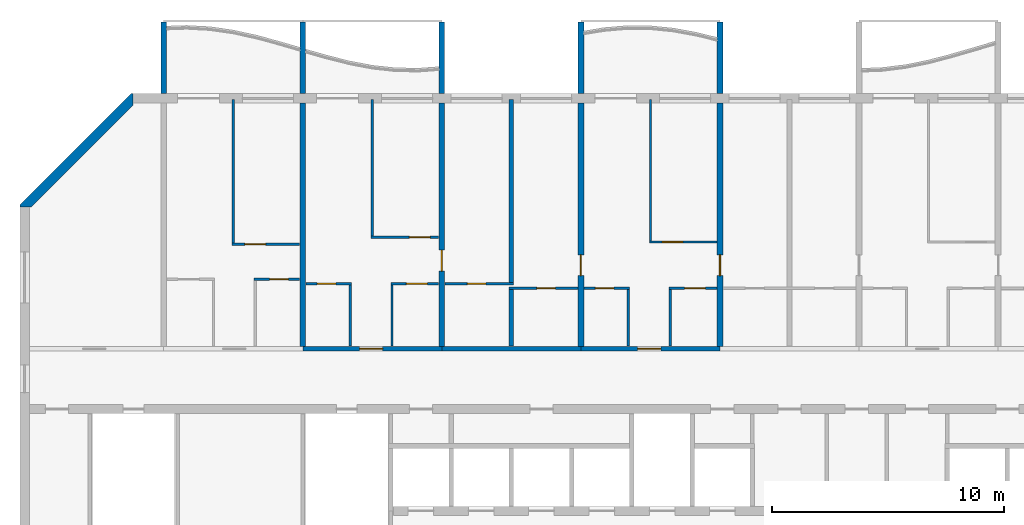
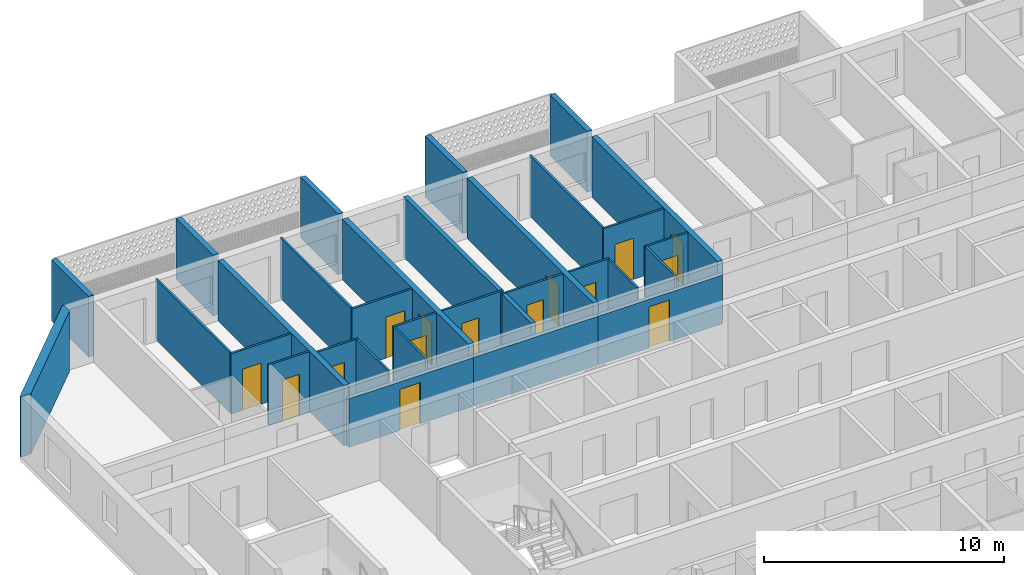
# One storey, part 8 of 27: 32 walls, 15 doors, 15 openings.
"""IFC4 building model written with IfcOpenShell, lengths in metres."""

from ifc_helpers import new_model, si_unit, direction, frame, frame_2d, origin, place, context, subcontext, project, spatial, polyline, rectangle, outline, extrude, source, transform, mapped, material, layer, layer_set, type_object, element, fill, save


model = new_model("IFC4")

# Units and contexts
model_context = context("Model", 3, precision=1e-05, world=origin(), true_north=direction((0.0, 1.0)))
body_context = subcontext(model_context, "Body", "Model", "MODEL_VIEW")
ifc_project = project(units=[si_unit("LENGTHUNIT", "METRE"), si_unit("AREAUNIT", "SQUARE_METRE"), si_unit("VOLUMEUNIT", "CUBIC_METRE"), si_unit("PLANEANGLEUNIT", "RADIAN"), si_unit("MASSUNIT", "GRAM", prefix="KILO")], contexts=[model_context])

# Site, building, storey
site_placement = place(None, origin())
site = spatial("IfcSite", under=ifc_project, at=site_placement, CompositionType="ELEMENT")
building_placement = place(site_placement, origin())
building = spatial("IfcBuilding", under=site, at=building_placement, Name="Poui Terraces", CompositionType="ELEMENT")
storey_placement = place(building_placement, frame((0.0, 0.0, 195.0)))
storey = spatial("IfcBuildingStorey", under=building, at=storey_placement, Name="L54", CompositionType="ELEMENT", Elevation=195.0)

# Wall, opening, door
ifc_material_1 = material(Name="Concrete 50 MPa", Category="concrete")
ifc_layer_1 = layer(ifc_material_1, 0.199951171875)
ifc_layer_set_1 = layer_set([ifc_layer_1], Name="Concrete 50 MPa")
wall_type_1 = type_object("IfcWallType", Name="CORRIDOR WALL 200 50MPa", PredefinedType="SHEAR", material=ifc_layer_set_1)
wall_1_placement = place(storey_placement, frame((30.0, 30.39990234375, 0.0), z_axis=(0.0, 0.0, 1.0), x_axis=(1.0, 0.0, 0.0)))
wall_1 = element("IfcWall", 1, at=wall_1_placement, inside=storey, type_object=wall_type_1, Name="CORRIDOR WALL LINE E BAY 3", PredefinedType="SHEAR", context=body_context, shape_type="SweptSolid", body=[
    extrude(rectangle(XDim=6.0, YDim=0.199951171875, at=frame_2d((3.0, 0.0))), origin(), (0.0, 0.0, 1.0), 2.47998046875),
])
opening_1_placement = place(wall_1_placement, frame((2.449951171875, 0.0, 0.0)))
opening_1 = element("IfcOpeningElement", 2, at=opening_1_placement, cuts=wall_1, Name="Opening FD30S", PredefinedType="OPENING", context=body_context, shape_type="SweptSolid", body=[
    extrude(rectangle(XDim=1.0, YDim=2.10009765625, at=frame_2d((0.5, 1.050048828125))), frame((0.0, 0.10986328125, 0.0), z_axis=(0.0, -1.0, 0.0), x_axis=(1.0, 0.0, 0.0)), (0.0, 0.0, 1.0), 0.219970703125),
])
ifc_material_2 = material(Name="Steel fire door", Category="steel")
door_type_1 = type_object("IfcDoorType", Name="FLAT ENTRANCE DOOR 1000 X 2100", OperationType="NOTDEFINED", PredefinedType="DOOR", material=ifc_material_2)
door_1_placement = place(opening_1_placement, origin())
door_1 = element("IfcDoor", 3, at=door_1_placement, inside=storey, type_object=door_type_1, Name="FLAT ENTRANCE DOOR 034", OperationType="SINGLE_SWING_LEFT", OverallHeight=2.10009765625, OverallWidth=1.0, PredefinedType="DOOR", context=body_context, shape_type="SweptSolid", body=[
    extrude(rectangle(XDim=1.0, YDim=2.10009765625, at=frame_2d((0.5, 1.050048828125))), frame((0.0, 0.02490234375, 0.0), z_axis=(0.0, -1.0, 0.0), x_axis=(1.0, 0.0, 0.0)), (0.0, 0.0, 1.0), 0.050048828125),
])
fill(opening_1, door_1)

# Wall
wall_2_placement = place(storey_placement, frame((36.0, 30.39990234375, 0.0), z_axis=(0.0, 0.0, 1.0), x_axis=(1.0, 0.0, 0.0)))
element("IfcWall", 4, at=wall_2_placement, inside=storey, type_object=wall_type_1, Name="CORRIDOR WALL LINE E BAY 4", PredefinedType="SHEAR", context=body_context, shape_type="SweptSolid", body=[
    extrude(rectangle(XDim=6.0, YDim=0.199951171875, at=frame_2d((3.0, 0.0))), origin(), (0.0, 0.0, 1.0), 2.47998046875),
])

# Wall, opening, door
wall_3_placement = place(storey_placement, frame((42.0, 30.39990234375, 0.0), z_axis=(0.0, 0.0, 1.0), x_axis=(1.0, 0.0, 0.0)))
wall_3 = element("IfcWall", 5, at=wall_3_placement, inside=storey, type_object=wall_type_1, Name="CORRIDOR WALL LINE E BAY 5", PredefinedType="SHEAR", context=body_context, shape_type="SweptSolid", body=[
    extrude(rectangle(XDim=6.0, YDim=0.199951171875, at=frame_2d((3.0, 0.0))), origin(), (0.0, 0.0, 1.0), 2.47998046875),
])
opening_2_placement = place(wall_3_placement, frame((2.449951171875, 0.0, 0.0)))
opening_2 = element("IfcOpeningElement", 6, at=opening_2_placement, cuts=wall_3, Name="Opening FD30S", PredefinedType="OPENING", context=body_context, shape_type="SweptSolid", body=[
    extrude(rectangle(XDim=1.0, YDim=2.10009765625, at=frame_2d((0.5, 1.050048828125))), frame((0.0, 0.10986328125, 0.0), z_axis=(0.0, -1.0, 0.0), x_axis=(1.0, 0.0, 0.0)), (0.0, 0.0, 1.0), 0.219970703125),
])
door_2_placement = place(opening_2_placement, origin())
door_2 = element("IfcDoor", 7, at=door_2_placement, inside=storey, type_object=door_type_1, Name="FLAT ENTRANCE DOOR 042", OperationType="SINGLE_SWING_LEFT", OverallHeight=2.10009765625, OverallWidth=1.0, PredefinedType="DOOR", context=body_context, shape_type="SweptSolid", body=[
    extrude(rectangle(XDim=1.0, YDim=2.10009765625, at=frame_2d((0.5, 1.050048828125))), frame((0.0, 0.02490234375, 0.0), z_axis=(0.0, -1.0, 0.0), x_axis=(1.0, 0.0, 0.0)), (0.0, 0.0, 1.0), 0.050048828125),
])
fill(opening_2, door_2)

# Wall
ifc_layer_2 = layer(ifc_material_1, 0.25)
ifc_layer_set_2 = layer_set([ifc_layer_2], Name="Concrete 50 MPa")
wall_type_2 = type_object("IfcWallType", Name="CROSS WALL 250 50MPa", PredefinedType="SHEAR", material=ifc_layer_set_2)
wall_4_placement = place(storey_placement, frame((30.0, 30.5, 0.0), z_axis=(0.0, 0.0, 1.0), x_axis=(0.0, 1.0, 0.0)))
element("IfcWall", 8, at=wall_4_placement, inside=storey, type_object=wall_type_2, Name="CROSS WALL LINE 6 NORTH", PredefinedType="SHEAR", context=body_context, shape_type="SweptSolid", body=[
    extrude(rectangle(XDim=10.5, YDim=0.25, at=frame_2d((5.25, 0.0))), origin(), (0.0, 0.0, 1.0), 3.080078125),
])

# Wall, opening, door
wall_5_placement = place(storey_placement, frame((36.0, 30.5, 0.0), z_axis=(0.0, 0.0, 1.0), x_axis=(0.0, 1.0, 0.0)))
wall_5 = element("IfcWall", 9, at=wall_5_placement, inside=storey, type_object=wall_type_2, Name="CROSS WALL LINE 7 NORTH", PredefinedType="SHEAR", context=body_context, shape_type="SweptSolid", body=[
    extrude(rectangle(XDim=10.5, YDim=0.25, at=frame_2d((5.25, 0.0))), origin(), (0.0, 0.0, 1.0), 3.080078125),
])
opening_3_placement = place(wall_5_placement, frame((3.25, 0.0, 0.0)))
opening_3 = element("IfcOpeningElement", 10, at=opening_3_placement, cuts=wall_5, Name="Opening D90", PredefinedType="OPENING", context=body_context, shape_type="SweptSolid", body=[
    extrude(rectangle(XDim=0.89990234375, YDim=2.10009765625, at=frame_2d((0.449951171875, 1.050048828125))), frame((0.0, 0.135009765625, 0.0), z_axis=(0.0, -1.0, 0.0), x_axis=(1.0, 0.0, 0.0)), (0.0, 0.0, 1.0), 0.27001953125),
])
ifc_material_3 = material(Name="Solid core timber door", Category="wood")
door_type_2 = type_object("IfcDoorType", Name="INTERNAL DOOR 900 X 2100", OperationType="NOTDEFINED", PredefinedType="DOOR", material=ifc_material_3)
door_3_placement = place(opening_3_placement, frame((0.89990234375, 0.0, 0.0), z_axis=(0.0, 0.0, 1.0), x_axis=(-1.0, 0.0, 0.0)))
door_3 = element("IfcDoor", 11, at=door_3_placement, inside=storey, type_object=door_type_2, Name="INTERNAL DOOR 037", OperationType="SINGLE_SWING_RIGHT", OverallHeight=2.10009765625, OverallWidth=0.89990234375, PredefinedType="DOOR", context=body_context, shape_type="SweptSolid", body=[
    extrude(rectangle(XDim=0.89990234375, YDim=2.10009765625, at=frame_2d((0.449951171875, 1.050048828125))), frame((0.0, 0.02490234375, 0.0), z_axis=(0.0, -1.0, 0.0), x_axis=(1.0, 0.0, 0.0)), (0.0, 0.0, 1.0), 0.050048828125),
])
fill(opening_3, door_3)

wall_6_placement = place(storey_placement, frame((42.0, 30.5, 0.0), z_axis=(0.0, 0.0, 1.0), x_axis=(0.0, 1.0, 0.0)))
wall_6 = element("IfcWall", 12, at=wall_6_placement, inside=storey, type_object=wall_type_2, Name="CROSS WALL LINE 8 NORTH", PredefinedType="SHEAR", context=body_context, shape_type="SweptSolid", body=[
    extrude(rectangle(XDim=10.5, YDim=0.25, at=frame_2d((5.25, 0.0))), origin(), (0.0, 0.0, 1.0), 3.080078125),
])
opening_4_placement = place(wall_6_placement, frame((3.050048828125, 0.0, 0.0)))
opening_4 = element("IfcOpeningElement", 13, at=opening_4_placement, cuts=wall_6, Name="Opening D90", PredefinedType="OPENING", context=body_context, shape_type="SweptSolid", body=[
    extrude(rectangle(XDim=0.89990234375, YDim=2.10009765625, at=frame_2d((0.449951171875, 1.050048828125))), frame((0.0, 0.135009765625, 0.0), z_axis=(0.0, -1.0, 0.0), x_axis=(1.0, 0.0, 0.0)), (0.0, 0.0, 1.0), 0.27001953125),
])
door_4_placement = place(opening_4_placement, origin())
door_4 = element("IfcDoor", 14, at=door_4_placement, inside=storey, type_object=door_type_2, Name="INTERNAL DOOR 040", OperationType="SINGLE_SWING_LEFT", OverallHeight=2.10009765625, OverallWidth=0.89990234375, PredefinedType="DOOR", context=body_context, shape_type="SweptSolid", body=[
    extrude(rectangle(XDim=0.89990234375, YDim=2.10009765625, at=frame_2d((0.449951171875, 1.050048828125))), frame((0.0, 0.02490234375, 0.0), z_axis=(0.0, -1.0, 0.0), x_axis=(1.0, 0.0, 0.0)), (0.0, 0.0, 1.0), 0.050048828125),
])
fill(opening_4, door_4)

wall_7_placement = place(storey_placement, frame((48.0, 30.5, 0.0), z_axis=(0.0, 0.0, 1.0), x_axis=(0.0, 1.0, 0.0)))
wall_7 = element("IfcWall", 15, at=wall_7_placement, inside=storey, type_object=wall_type_2, Name="CROSS WALL LINE 9 NORTH", PredefinedType="SHEAR", context=body_context, shape_type="SweptSolid", body=[
    extrude(rectangle(XDim=10.5, YDim=0.25, at=frame_2d((5.25, 0.0))), origin(), (0.0, 0.0, 1.0), 3.080078125),
])
opening_5_placement = place(wall_7_placement, frame((3.050048828125, 0.0, 0.0)))
opening_5 = element("IfcOpeningElement", 16, at=opening_5_placement, cuts=wall_7, Name="Opening D90", PredefinedType="OPENING", context=body_context, shape_type="SweptSolid", body=[
    extrude(rectangle(XDim=0.89990234375, YDim=2.10009765625, at=frame_2d((0.449951171875, 1.050048828125))), frame((0.0, 0.135009765625, 0.0), z_axis=(0.0, -1.0, 0.0), x_axis=(1.0, 0.0, 0.0)), (0.0, 0.0, 1.0), 0.27001953125),
])
door_5_placement = place(opening_5_placement, frame((0.89990234375, 0.0, 0.0), z_axis=(0.0, 0.0, 1.0), x_axis=(-1.0, 0.0, 0.0)))
door_5 = element("IfcDoor", 17, at=door_5_placement, inside=storey, type_object=door_type_2, Name="INTERNAL DOOR 045", OperationType="SINGLE_SWING_RIGHT", OverallHeight=2.10009765625, OverallWidth=0.89990234375, PredefinedType="DOOR", context=body_context, shape_type="SweptSolid", body=[
    extrude(rectangle(XDim=0.89990234375, YDim=2.10009765625, at=frame_2d((0.449951171875, 1.050048828125))), frame((0.0, 0.02490234375, 0.0), z_axis=(0.0, -1.0, 0.0), x_axis=(1.0, 0.0, 0.0)), (0.0, 0.0, 1.0), 0.050048828125),
])
fill(opening_5, door_5)

ifc_material_4 = material(Name="Plasterboard partition")
ifc_layer_3 = layer(ifc_material_4, 0.10009765625)
ifc_layer_set_3 = layer_set([ifc_layer_3], Name="Plasterboard partition")
wall_type_3 = type_object("IfcWallType", Name="FLAT PARTITION 100", PredefinedType="PARTITIONING", material=ifc_layer_set_3)
wall_8_placement = place(storey_placement, frame((38.89990234375, 33.0, 0.0), z_axis=(0.0, 0.0, 1.0), x_axis=(1.0, 0.0, 0.0)))
wall_8 = element("IfcWall", 18, at=wall_8_placement, inside=storey, type_object=wall_type_3, Name="FLAT PARTITION 100", PredefinedType="PARTITIONING", context=body_context, shape_type="SweptSolid", body=[
    extrude(rectangle(XDim=2.965087890625, YDim=0.10009765625, at=frame_2d((1.482421875, 0.0))), origin(), (0.0, 0.0, 1.0), 3.080078125),
])
opening_6_placement = place(wall_8_placement, frame((1.199951171875, 0.0, 0.0)))
opening_6 = element("IfcOpeningElement", 19, at=opening_6_placement, cuts=wall_8, Name="Opening D80", PredefinedType="OPENING", context=body_context, shape_type="SweptSolid", body=[
    extrude(rectangle(XDim=0.800048828125, YDim=2.10009765625, at=frame_2d((0.39990234375, 1.050048828125))), frame((0.0, 0.06005859375, 0.0), z_axis=(0.0, -1.0, 0.0), x_axis=(1.0, 0.0, 0.0)), (0.0, 0.0, 1.0), 0.1201171875),
])
door_type_3 = type_object("IfcDoorType", Name="BATHROOM, LAUNDRY AND STORE DOOR 800 X 2100", OperationType="NOTDEFINED", PredefinedType="DOOR", material=ifc_material_3)
door_6_placement = place(opening_6_placement, frame((0.800048828125, 0.0, 0.0), z_axis=(0.0, 0.0, 1.0), x_axis=(-1.0, 0.0, 0.0)))
door_6 = element("IfcDoor", 20, at=door_6_placement, inside=storey, type_object=door_type_3, Name="BATHROOM, LAUNDRY AND STORE DOOR 038", OperationType="SINGLE_SWING_LEFT", OverallHeight=2.10009765625, OverallWidth=0.800048828125, PredefinedType="DOOR", context=body_context, shape_type="SweptSolid", body=[
    extrude(rectangle(XDim=0.800048828125, YDim=2.10009765625, at=frame_2d((0.39990234375, 1.050048828125))), frame((0.0, 0.02490234375, 0.0), z_axis=(0.0, -1.0, 0.0), x_axis=(1.0, 0.0, 0.0)), (0.0, 0.0, 1.0), 0.050048828125),
])
fill(opening_6, door_6)

wall_9_placement = place(storey_placement, frame((42.135009765625, 33.0, 0.0), z_axis=(0.0, 0.0, 1.0), x_axis=(1.0, 0.0, 0.0)))
wall_9 = element("IfcWall", 21, at=wall_9_placement, inside=storey, type_object=wall_type_3, Name="FLAT PARTITION 100", PredefinedType="PARTITIONING", context=body_context, shape_type="SweptSolid", body=[
    extrude(rectangle(XDim=1.965087890625, YDim=0.10009765625, at=frame_2d((0.982421875, 0.0))), origin(), (0.0, 0.0, 1.0), 3.080078125),
])
opening_7_placement = place(wall_9_placement, frame((0.489990234375, 0.0, 0.0)))
opening_7 = element("IfcOpeningElement", 22, at=opening_7_placement, cuts=wall_9, Name="Opening D80", PredefinedType="OPENING", context=body_context, shape_type="SweptSolid", body=[
    extrude(rectangle(XDim=0.800048828125, YDim=2.10009765625, at=frame_2d((0.39990234375, 1.050048828125))), frame((0.0, 0.06005859375, 0.0), z_axis=(0.0, -1.0, 0.0), x_axis=(1.0, 0.0, 0.0)), (0.0, 0.0, 1.0), 0.1201171875),
])
door_7_placement = place(opening_7_placement, frame((0.800048828125, 0.0, 0.0), z_axis=(0.0, 0.0, 1.0), x_axis=(-1.0, 0.0, 0.0)))
door_7 = element("IfcDoor", 23, at=door_7_placement, inside=storey, type_object=door_type_3, Name="BATHROOM, LAUNDRY AND STORE DOOR 041", OperationType="SINGLE_SWING_LEFT", OverallHeight=2.10009765625, OverallWidth=0.800048828125, PredefinedType="DOOR", context=body_context, shape_type="SweptSolid", body=[
    extrude(rectangle(XDim=0.800048828125, YDim=2.10009765625, at=frame_2d((0.39990234375, 1.050048828125))), frame((0.0, 0.02490234375, 0.0), z_axis=(0.0, -1.0, 0.0), x_axis=(1.0, 0.0, 0.0)), (0.0, 0.0, 1.0), 0.050048828125),
])
fill(opening_7, door_7)

wall_10_placement = place(storey_placement, frame((45.800048828125, 33.0, 0.0), z_axis=(0.0, 0.0, 1.0), x_axis=(1.0, 0.0, 0.0)))
wall_10 = element("IfcWall", 24, at=wall_10_placement, inside=storey, type_object=wall_type_3, Name="FLAT PARTITION 100", PredefinedType="PARTITIONING", context=body_context, shape_type="SweptSolid", body=[
    extrude(rectangle(XDim=2.06494140625, YDim=0.10009765625, at=frame_2d((1.032470703125, 0.0))), origin(), (0.0, 0.0, 1.0), 3.080078125),
])
opening_8_placement = place(wall_10_placement, frame((0.675048828125, 0.0, 0.0)))
opening_8 = element("IfcOpeningElement", 25, at=opening_8_placement, cuts=wall_10, Name="Opening D90", PredefinedType="OPENING", context=body_context, shape_type="SweptSolid", body=[
    extrude(rectangle(XDim=0.89990234375, YDim=2.10009765625, at=frame_2d((0.449951171875, 1.050048828125))), frame((0.0, 0.06005859375, 0.0), z_axis=(0.0, -1.0, 0.0), x_axis=(1.0, 0.0, 0.0)), (0.0, 0.0, 1.0), 0.1201171875),
])
door_8_placement = place(opening_8_placement, frame((0.89990234375, 0.0, 0.0), z_axis=(0.0, 0.0, 1.0), x_axis=(-1.0, 0.0, 0.0)))
door_8 = element("IfcDoor", 26, at=door_8_placement, inside=storey, type_object=door_type_2, Name="INTERNAL DOOR 044", OperationType="SINGLE_SWING_RIGHT", OverallHeight=2.10009765625, OverallWidth=0.89990234375, PredefinedType="DOOR", context=body_context, shape_type="SweptSolid", body=[
    extrude(rectangle(XDim=0.89990234375, YDim=2.10009765625, at=frame_2d((0.449951171875, 1.050048828125))), frame((0.0, 0.02490234375, 0.0), z_axis=(0.0, -1.0, 0.0), x_axis=(1.0, 0.0, 0.0)), (0.0, 0.0, 1.0), 0.050048828125),
])
fill(opening_8, door_8)

wall_11_placement = place(storey_placement, frame((30.135009765625, 33.199951171875, 0.0), z_axis=(0.0, 0.0, 1.0), x_axis=(1.0, 0.0, 0.0)))
wall_11 = element("IfcWall", 27, at=wall_11_placement, inside=storey, type_object=wall_type_3, Name="FLAT PARTITION 100", PredefinedType="PARTITIONING", context=body_context, shape_type="SweptSolid", body=[
    extrude(rectangle(XDim=1.965087890625, YDim=0.10009765625, at=frame_2d((0.982421875, 0.0))), origin(), (0.0, 0.0, 1.0), 3.080078125),
])
opening_9_placement = place(wall_11_placement, frame((0.489990234375, 0.0, 0.0)))
opening_9 = element("IfcOpeningElement", 28, at=opening_9_placement, cuts=wall_11, Name="Opening D80", PredefinedType="OPENING", context=body_context, shape_type="SweptSolid", body=[
    extrude(rectangle(XDim=0.800048828125, YDim=2.10009765625, at=frame_2d((0.39990234375, 1.050048828125))), frame((0.0, 0.06005859375, 0.0), z_axis=(0.0, -1.0, 0.0), x_axis=(1.0, 0.0, 0.0)), (0.0, 0.0, 1.0), 0.1201171875),
])
door_9_placement = place(opening_9_placement, frame((0.800048828125, 0.0, 0.0), z_axis=(0.0, 0.0, 1.0), x_axis=(-1.0, 0.0, 0.0)))
door_9 = element("IfcDoor", 29, at=door_9_placement, inside=storey, type_object=door_type_3, Name="BATHROOM, LAUNDRY AND STORE DOOR 033", OperationType="SINGLE_SWING_RIGHT", OverallHeight=2.10009765625, OverallWidth=0.800048828125, PredefinedType="DOOR", context=body_context, shape_type="SweptSolid", body=[
    extrude(rectangle(XDim=0.800048828125, YDim=2.10009765625, at=frame_2d((0.39990234375, 1.050048828125))), frame((0.0, 0.02490234375, 0.0), z_axis=(0.0, -1.0, 0.0), x_axis=(1.0, 0.0, 0.0)), (0.0, 0.0, 1.0), 0.050048828125),
])
fill(opening_9, door_9)

wall_12_placement = place(storey_placement, frame((33.800048828125, 33.199951171875, 0.0), z_axis=(0.0, 0.0, 1.0), x_axis=(1.0, 0.0, 0.0)))
wall_12 = element("IfcWall", 30, at=wall_12_placement, inside=storey, type_object=wall_type_3, Name="FLAT PARTITION 100", PredefinedType="PARTITIONING", context=body_context, shape_type="SweptSolid", body=[
    extrude(rectangle(XDim=2.06494140625, YDim=0.10009765625, at=frame_2d((1.032470703125, 0.0))), origin(), (0.0, 0.0, 1.0), 3.080078125),
])
opening_10_placement = place(wall_12_placement, frame((0.675048828125, 0.0, 0.0)))
opening_10 = element("IfcOpeningElement", 31, at=opening_10_placement, cuts=wall_12, Name="Opening D90", PredefinedType="OPENING", context=body_context, shape_type="SweptSolid", body=[
    extrude(rectangle(XDim=0.89990234375, YDim=2.10009765625, at=frame_2d((0.449951171875, 1.050048828125))), frame((0.0, 0.06005859375, 0.0), z_axis=(0.0, -1.0, 0.0), x_axis=(1.0, 0.0, 0.0)), (0.0, 0.0, 1.0), 0.1201171875),
])
door_10_placement = place(opening_10_placement, frame((0.89990234375, 0.0, 0.0), z_axis=(0.0, 0.0, 1.0), x_axis=(-1.0, 0.0, 0.0)))
door_10 = element("IfcDoor", 32, at=door_10_placement, inside=storey, type_object=door_type_2, Name="INTERNAL DOOR 035", OperationType="SINGLE_SWING_LEFT", OverallHeight=2.10009765625, OverallWidth=0.89990234375, PredefinedType="DOOR", context=body_context, shape_type="SweptSolid", body=[
    extrude(rectangle(XDim=0.89990234375, YDim=2.10009765625, at=frame_2d((0.449951171875, 1.050048828125))), frame((0.0, 0.02490234375, 0.0), z_axis=(0.0, -1.0, 0.0), x_axis=(1.0, 0.0, 0.0)), (0.0, 0.0, 1.0), 0.050048828125),
])
fill(opening_10, door_10)

wall_13_placement = place(storey_placement, frame((36.135009765625, 33.199951171875, 0.0), z_axis=(0.0, 0.0, 1.0), x_axis=(1.0, 0.0, 0.0)))
wall_13 = element("IfcWall", 33, at=wall_13_placement, inside=storey, type_object=wall_type_3, Name="FLAT PARTITION 100", PredefinedType="PARTITIONING", context=body_context, shape_type="SweptSolid", body=[
    extrude(rectangle(XDim=2.965087890625, YDim=0.10009765625, at=frame_2d((1.482421875, 0.0))), origin(), (0.0, 0.0, 1.0), 3.080078125),
])
opening_11_placement = place(wall_13_placement, frame((0.965087890625, 0.0, 0.0)))
opening_11 = element("IfcOpeningElement", 34, at=opening_11_placement, cuts=wall_13, Name="Opening D80", PredefinedType="OPENING", context=body_context, shape_type="SweptSolid", body=[
    extrude(rectangle(XDim=0.800048828125, YDim=2.10009765625, at=frame_2d((0.39990234375, 1.050048828125))), frame((0.0, 0.06005859375, 0.0), z_axis=(0.0, -1.0, 0.0), x_axis=(1.0, 0.0, 0.0)), (0.0, 0.0, 1.0), 0.1201171875),
])
door_11_placement = place(opening_11_placement, frame((0.800048828125, 0.0, 0.0), z_axis=(0.0, 0.0, 1.0), x_axis=(-1.0, 0.0, 0.0)))
door_11 = element("IfcDoor", 35, at=door_11_placement, inside=storey, type_object=door_type_3, Name="BATHROOM, LAUNDRY AND STORE DOOR 032", OperationType="SINGLE_SWING_RIGHT", OverallHeight=2.10009765625, OverallWidth=0.800048828125, PredefinedType="DOOR", context=body_context, shape_type="SweptSolid", body=[
    extrude(rectangle(XDim=0.800048828125, YDim=2.10009765625, at=frame_2d((0.39990234375, 1.050048828125))), frame((0.0, 0.02490234375, 0.0), z_axis=(0.0, -1.0, 0.0), x_axis=(1.0, 0.0, 0.0)), (0.0, 0.0, 1.0), 0.050048828125),
])
fill(opening_11, door_11)

wall_14_placement = place(storey_placement, frame((27.89990234375, 33.39990234375, 0.0), z_axis=(0.0, 0.0, 1.0), x_axis=(1.0, 0.0, 0.0)))
wall_14 = element("IfcWall", 36, at=wall_14_placement, inside=storey, type_object=wall_type_3, Name="FLAT PARTITION 100", PredefinedType="PARTITIONING", context=body_context, shape_type="SweptSolid", body=[
    extrude(rectangle(XDim=1.965087890625, YDim=0.10009765625, at=frame_2d((0.982421875, 0.0))), origin(), (0.0, 0.0, 1.0), 3.080078125),
])
opening_12_placement = place(wall_14_placement, frame((0.675048828125, 0.0, 0.0)))
opening_12 = element("IfcOpeningElement", 37, at=opening_12_placement, cuts=wall_14, Name="Opening D80", PredefinedType="OPENING", context=body_context, shape_type="SweptSolid", body=[
    extrude(rectangle(XDim=0.800048828125, YDim=2.10009765625, at=frame_2d((0.39990234375, 1.050048828125))), frame((0.0, 0.06005859375, 0.0), z_axis=(0.0, -1.0, 0.0), x_axis=(1.0, 0.0, 0.0)), (0.0, 0.0, 1.0), 0.1201171875),
])
door_12_placement = place(opening_12_placement, frame((0.800048828125, 0.0, 0.0), z_axis=(0.0, 0.0, 1.0), x_axis=(-1.0, 0.0, 0.0)))
door_12 = element("IfcDoor", 38, at=door_12_placement, inside=storey, type_object=door_type_3, Name="BATHROOM, LAUNDRY AND STORE DOOR 031", OperationType="SINGLE_SWING_RIGHT", OverallHeight=2.10009765625, OverallWidth=0.800048828125, PredefinedType="DOOR", context=body_context, shape_type="SweptSolid", body=[
    extrude(rectangle(XDim=0.800048828125, YDim=2.10009765625, at=frame_2d((0.39990234375, 1.050048828125))), frame((0.0, 0.02490234375, 0.0), z_axis=(0.0, -1.0, 0.0), x_axis=(1.0, 0.0, 0.0)), (0.0, 0.0, 1.0), 0.050048828125),
])
fill(opening_12, door_12)

wall_15_placement = place(storey_placement, frame((26.949951171875, 34.89990234375, 0.0), z_axis=(0.0, 0.0, 1.0), x_axis=(1.0, 0.0, 0.0)))
wall_15 = element("IfcWall", 39, at=wall_15_placement, inside=storey, type_object=wall_type_3, Name="FLAT PARTITION 100", PredefinedType="PARTITIONING", context=body_context, shape_type="SweptSolid", body=[
    extrude(rectangle(XDim=2.9150390625, YDim=0.10009765625, at=frame_2d((1.45751953125, 0.0))), origin(), (0.0, 0.0, 1.0), 3.080078125),
])
opening_13_placement = place(wall_15_placement, frame((0.550048828125, 0.0, 0.0)))
opening_13 = element("IfcOpeningElement", 40, at=opening_13_placement, cuts=wall_15, Name="Opening D90", PredefinedType="OPENING", context=body_context, shape_type="SweptSolid", body=[
    extrude(rectangle(XDim=0.89990234375, YDim=2.10009765625, at=frame_2d((0.449951171875, 1.050048828125))), frame((0.0, 0.06005859375, 0.0), z_axis=(0.0, -1.0, 0.0), x_axis=(1.0, 0.0, 0.0)), (0.0, 0.0, 1.0), 0.1201171875),
])
door_13_placement = place(opening_13_placement, frame((0.89990234375, 0.0, 0.0), z_axis=(0.0, 0.0, 1.0), x_axis=(-1.0, 0.0, 0.0)))
door_13 = element("IfcDoor", 41, at=door_13_placement, inside=storey, type_object=door_type_2, Name="INTERNAL DOOR 030", OperationType="SINGLE_SWING_LEFT", OverallHeight=2.10009765625, OverallWidth=0.89990234375, PredefinedType="DOOR", context=body_context, shape_type="SweptSolid", body=[
    extrude(rectangle(XDim=0.89990234375, YDim=2.10009765625, at=frame_2d((0.449951171875, 1.050048828125))), frame((0.0, 0.02490234375, 0.0), z_axis=(0.0, -1.0, 0.0), x_axis=(1.0, 0.0, 0.0)), (0.0, 0.0, 1.0), 0.050048828125),
])
fill(opening_13, door_13)

wall_16_placement = place(storey_placement, frame((44.949951171875, 35.0, 0.0), z_axis=(0.0, 0.0, 1.0), x_axis=(1.0, 0.0, 0.0)))
wall_16 = element("IfcWall", 42, at=wall_16_placement, inside=storey, type_object=wall_type_3, Name="FLAT PARTITION 100", PredefinedType="PARTITIONING", context=body_context, shape_type="SweptSolid", body=[
    extrude(rectangle(XDim=2.9150390625, YDim=0.10009765625, at=frame_2d((1.45751953125, 0.0))), origin(), (0.0, 0.0, 1.0), 3.080078125),
])
opening_14_placement = place(wall_16_placement, frame((0.550048828125, 0.0, 0.0)))
opening_14 = element("IfcOpeningElement", 43, at=opening_14_placement, cuts=wall_16, Name="Opening D90", PredefinedType="OPENING", context=body_context, shape_type="SweptSolid", body=[
    extrude(rectangle(XDim=0.89990234375, YDim=2.10009765625, at=frame_2d((0.449951171875, 1.050048828125))), frame((0.0, 0.06005859375, 0.0), z_axis=(0.0, -1.0, 0.0), x_axis=(1.0, 0.0, 0.0)), (0.0, 0.0, 1.0), 0.1201171875),
])
door_14_placement = place(opening_14_placement, frame((0.89990234375, 0.0, 0.0), z_axis=(0.0, 0.0, 1.0), x_axis=(-1.0, 0.0, 0.0)))
door_14 = element("IfcDoor", 44, at=door_14_placement, inside=storey, type_object=door_type_2, Name="INTERNAL DOOR 043", OperationType="SINGLE_SWING_LEFT", OverallHeight=2.10009765625, OverallWidth=0.89990234375, PredefinedType="DOOR", context=body_context, shape_type="SweptSolid", body=[
    extrude(rectangle(XDim=0.89990234375, YDim=2.10009765625, at=frame_2d((0.449951171875, 1.050048828125))), frame((0.0, 0.02490234375, 0.0), z_axis=(0.0, -1.0, 0.0), x_axis=(1.0, 0.0, 0.0)), (0.0, 0.0, 1.0), 0.050048828125),
])
fill(opening_14, door_14)

wall_17_placement = place(storey_placement, frame((32.949951171875, 35.199951171875, 0.0), z_axis=(0.0, 0.0, 1.0), x_axis=(1.0, 0.0, 0.0)))
wall_17 = element("IfcWall", 45, at=wall_17_placement, inside=storey, type_object=wall_type_3, Name="FLAT PARTITION 100", PredefinedType="PARTITIONING", context=body_context, shape_type="SweptSolid", body=[
    extrude(rectangle(XDim=2.9150390625, YDim=0.10009765625, at=frame_2d((1.45751953125, 0.0))), origin(), (0.0, 0.0, 1.0), 3.080078125),
])
opening_15_placement = place(wall_17_placement, frame((1.64990234375, 0.0, 0.0)))
opening_15 = element("IfcOpeningElement", 46, at=opening_15_placement, cuts=wall_17, Name="Opening D90", PredefinedType="OPENING", context=body_context, shape_type="SweptSolid", body=[
    extrude(rectangle(XDim=0.89990234375, YDim=2.10009765625, at=frame_2d((0.449951171875, 1.050048828125))), frame((0.0, 0.06005859375, 0.0), z_axis=(0.0, -1.0, 0.0), x_axis=(1.0, 0.0, 0.0)), (0.0, 0.0, 1.0), 0.1201171875),
])
door_15_placement = place(opening_15_placement, frame((0.89990234375, 0.0, 0.0), z_axis=(0.0, 0.0, 1.0), x_axis=(-1.0, 0.0, 0.0)))
door_15 = element("IfcDoor", 47, at=door_15_placement, inside=storey, type_object=door_type_2, Name="INTERNAL DOOR 036", OperationType="SINGLE_SWING_RIGHT", OverallHeight=2.10009765625, OverallWidth=0.89990234375, PredefinedType="DOOR", context=body_context, shape_type="SweptSolid", body=[
    extrude(rectangle(XDim=0.89990234375, YDim=2.10009765625, at=frame_2d((0.449951171875, 1.050048828125))), frame((0.0, 0.02490234375, 0.0), z_axis=(0.0, -1.0, 0.0), x_axis=(1.0, 0.0, 0.0)), (0.0, 0.0, 1.0), 0.050048828125),
])
fill(opening_15, door_15)

# Walls
wall_18_placement = place(storey_placement, frame((27.0, 34.949951171875, 0.0), z_axis=(0.0, 0.0, 1.0), x_axis=(0.0, 1.0, 0.0)))
element("IfcWall", 48, at=wall_18_placement, inside=storey, type_object=wall_type_3, Name="FLAT PARTITION 100", PredefinedType="PARTITIONING", context=body_context, shape_type="SweptSolid", body=[
    extrude(rectangle(XDim=6.18994140625, YDim=0.10009765625, at=frame_2d((3.094970703125, 0.0))), origin(), (0.0, 0.0, 1.0), 3.080078125),
])
wall_19_placement = place(storey_placement, frame((32.050048828125, 30.510009765625, 0.0), z_axis=(0.0, 0.0, 1.0), x_axis=(0.0, 1.0, 0.0)))
element("IfcWall", 49, at=wall_19_placement, inside=storey, type_object=wall_type_3, Name="FLAT PARTITION 100", PredefinedType="PARTITIONING", context=body_context, shape_type="SweptSolid", body=[
    extrude(rectangle(XDim=2.639892578125, YDim=0.10009765625, at=frame_2d((1.31982421875, 0.0))), origin(), (0.0, 0.0, 1.0), 3.080078125),
])
wall_20_placement = place(storey_placement, frame((33.0, 35.25, 0.0), z_axis=(0.0, 0.0, 1.0), x_axis=(0.0, 1.0, 0.0)))
element("IfcWall", 50, at=wall_20_placement, inside=storey, type_object=wall_type_3, Name="FLAT PARTITION 100", PredefinedType="PARTITIONING", context=body_context, shape_type="SweptSolid", body=[
    extrude(rectangle(XDim=5.889892578125, YDim=0.10009765625, at=frame_2d((2.94482421875, 0.0))), origin(), (0.0, 0.0, 1.0), 3.080078125),
])
wall_21_placement = place(storey_placement, frame((33.85009765625, 30.510009765625, 0.0), z_axis=(0.0, 0.0, 1.0), x_axis=(0.0, 1.0, 0.0)))
element("IfcWall", 51, at=wall_21_placement, inside=storey, type_object=wall_type_3, Name="FLAT PARTITION 100", PredefinedType="PARTITIONING", context=body_context, shape_type="SweptSolid", body=[
    extrude(rectangle(XDim=2.639892578125, YDim=0.10009765625, at=frame_2d((1.31982421875, 0.0))), origin(), (0.0, 0.0, 1.0), 3.080078125),
])
wall_22_placement = place(storey_placement, frame((44.050048828125, 30.510009765625, 0.0), z_axis=(0.0, 0.0, 1.0), x_axis=(0.0, 1.0, 0.0)))
element("IfcWall", 52, at=wall_22_placement, inside=storey, type_object=wall_type_3, Name="FLAT PARTITION 100", PredefinedType="PARTITIONING", context=body_context, shape_type="SweptSolid", body=[
    extrude(rectangle(XDim=2.43994140625, YDim=0.10009765625, at=frame_2d((1.219970703125, 0.0))), origin(), (0.0, 0.0, 1.0), 3.080078125),
])
wall_23_placement = place(storey_placement, frame((45.0, 35.050048828125, 0.0), z_axis=(0.0, 0.0, 1.0), x_axis=(0.0, 1.0, 0.0)))
element("IfcWall", 53, at=wall_23_placement, inside=storey, type_object=wall_type_3, Name="FLAT PARTITION 100", PredefinedType="PARTITIONING", context=body_context, shape_type="SweptSolid", body=[
    extrude(rectangle(XDim=6.08984375, YDim=0.10009765625, at=frame_2d((3.044921875, 0.0))), origin(), (0.0, 0.0, 1.0), 3.080078125),
])
wall_24_placement = place(storey_placement, frame((45.85009765625, 30.510009765625, 0.0), z_axis=(0.0, 0.0, 1.0), x_axis=(0.0, 1.0, 0.0)))
element("IfcWall", 54, at=wall_24_placement, inside=storey, type_object=wall_type_3, Name="FLAT PARTITION 100", PredefinedType="PARTITIONING", context=body_context, shape_type="SweptSolid", body=[
    extrude(rectangle(XDim=2.43994140625, YDim=0.10009765625, at=frame_2d((1.219970703125, 0.0))), origin(), (0.0, 0.0, 1.0), 3.080078125),
])
ifc_material_5 = material(Name="Fire-rated masonry wall", Category="masonry")
ifc_layer_4 = layer(ifc_material_5, 0.199951171875)
ifc_layer_set_4 = layer_set([ifc_layer_4], Name="Fire-rated masonry wall")
wall_type_4 = type_object("IfcWallType", Name="FLAT PARTY WALL 200", PredefinedType="PARTITIONING", material=ifc_layer_set_4)
wall_25_placement = place(storey_placement, frame((39.0, 30.510009765625, 0.0), z_axis=(0.0, 0.0, 1.0), x_axis=(0.0, 1.0, 0.0)))
element("IfcWall", 55, at=wall_25_placement, inside=storey, type_object=wall_type_4, Name="FLAT PARTY WALL 200", PredefinedType="PARTITIONING", context=body_context, shape_type="SweptSolid", body=[
    extrude(rectangle(XDim=2.43994140625, YDim=0.199951171875, at=frame_2d((1.219970703125, 0.0))), origin(), (0.0, 0.0, 1.0), 3.080078125),
])
wall_26_placement = place(storey_placement, frame((39.0, 33.25, 0.0), z_axis=(0.0, 0.0, 1.0), x_axis=(0.0, 1.0, 0.0)))
element("IfcWall", 56, at=wall_26_placement, inside=storey, type_object=wall_type_4, Name="FLAT PARTY WALL 200", PredefinedType="PARTITIONING", context=body_context, shape_type="SweptSolid", body=[
    extrude(rectangle(XDim=7.889892578125, YDim=0.199951171875, at=frame_2d((3.94482421875, 0.0))), origin(), (0.0, 0.0, 1.0), 3.080078125),
])
ifc_material_6 = material(Name="Precast concrete 40 MPa", Category="concrete")
ifc_layer_5 = layer(ifc_material_6, 0.39990234375)
ifc_layer_set_5 = layer_set([ifc_layer_5], Name="Precast concrete 40 MPa")
wall_type_5 = type_object("IfcWallType", Name="TERRACOTTA CLAD CHAMFER WALL 400", PredefinedType="STANDARD", material=ifc_layer_set_5)
wall_27_placement = place(storey_placement, origin())
element("IfcWall", 57, at=wall_27_placement, inside=storey, type_object=wall_type_5, Name="CHAMFER WALL CH05", PredefinedType="STANDARD", context=body_context, shape_type="SweptSolid", body=[
    extrude(outline(polyline([(22.682861328125, 41.39990234375), (22.60009765625, 41.39990234375), (17.800048828125, 36.60009765625), (17.800048828125, 36.51708984375), (18.28271484375, 36.51708984375), (22.682861328125, 40.917236328125), (22.682861328125, 41.39990234375)])), origin(), (0.0, 0.0, 1.0), 3.080078125),
])
ifc_layer_6 = layer(ifc_material_6, 0.25)
ifc_layer_set_6 = layer_set([ifc_layer_6], Name="Precast concrete 40 MPa")
wall_type_6 = type_object("IfcWallType", Name="BALCONY FIN 250", PredefinedType="STANDARD", material=ifc_layer_set_6)
shared_shape = source(origin(), body_context, "Body", "SweptSolid", [
    extrude(outline(polyline([(0.0, 0.0), (0.25, 0.0), (0.25, 3.10009765625), (0.0, 3.10009765625), (0.0, 0.0)])), origin(), (0.0, 0.0, 1.0), 3.10009765625),
])
for number, where, name in (
    (58, (23.875, 41.39990234375, 0.0), "BALCONY FIN"),
    (59, (29.875, 41.39990234375, 0.0), "BALCONY FIN"),
    (60, (35.875, 41.39990234375, 0.0), "BALCONY FIN"),
    (61, (41.875, 41.39990234375, 0.0), "BALCONY FIN"),
    (62, (47.875, 41.39990234375, 0.0), "BALCONY FIN"),
):
    element("IfcWall", number, at=place(storey_placement, frame(where)), inside=storey, type_object=wall_type_6, Name=name, PredefinedType="STANDARD", context=body_context, shape_type="MappedRepresentation", body=[
        mapped(shared_shape, transform((0.0, 0.0, 0.0))),
    ])

save(model, "model.ifc")
